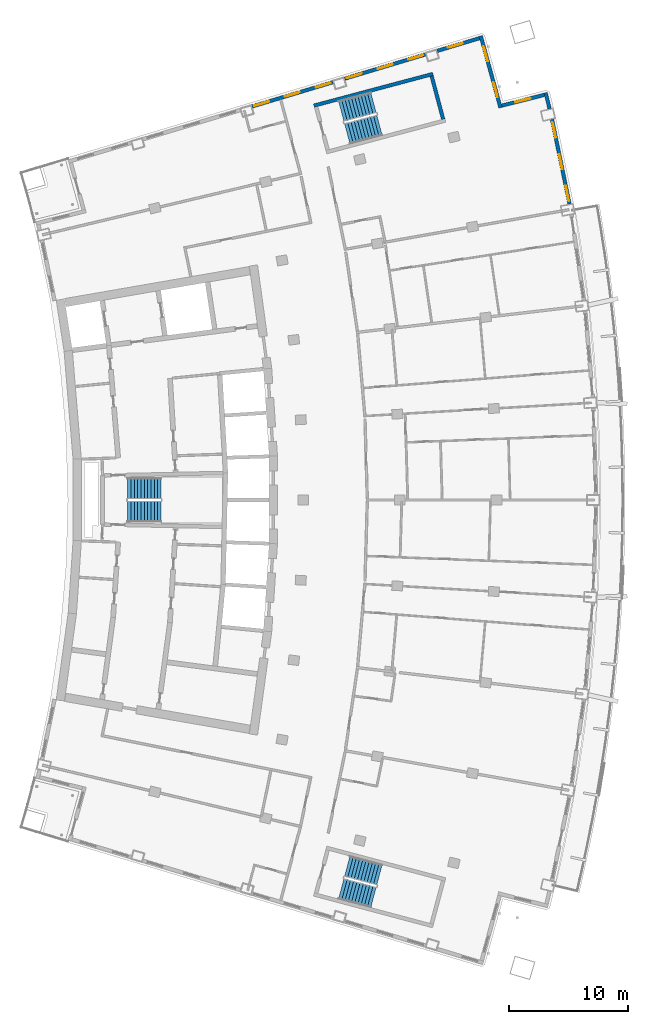
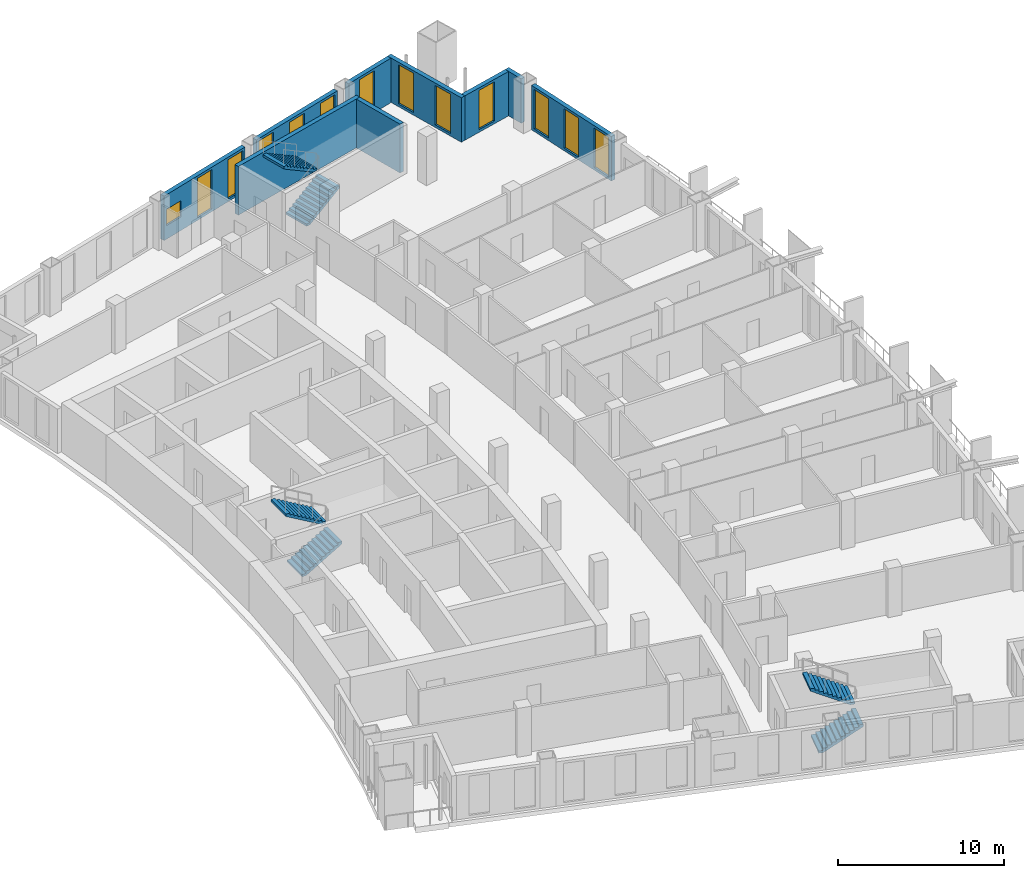
# One storey, part 17 of 20: 13 windows, 9 walls, 6 stair flights, 13 openings, 3 elements without a shape of their own.
"""IFC4 building model written with IfcOpenShell, lengths in metres."""

from ifc_helpers import new_model, si_unit, direction, frame, frame_2d, origin, place, context, subcontext, project, spatial, polyline, rectangle, outline, extrude, material, layer, layer_set, type_object, element, fill, aggregate, save


model = new_model("IFC4")

# Units and contexts
model_context = context("Model", 3, precision=1e-05, world=origin(), true_north=direction((0.0, 1.0)))
body_context = subcontext(model_context, "Body", "Model", "MODEL_VIEW")
ifc_project = project(units=[si_unit("LENGTHUNIT", "METRE"), si_unit("AREAUNIT", "SQUARE_METRE"), si_unit("VOLUMEUNIT", "CUBIC_METRE"), si_unit("PLANEANGLEUNIT", "RADIAN"), si_unit("MASSUNIT", "GRAM", prefix="KILO")], contexts=[model_context])

# Site, building, storey
site_placement = place(None, origin())
site = spatial("IfcSite", under=ifc_project, at=site_placement, CompositionType="ELEMENT")
building_placement = place(site_placement, origin())
building = spatial("IfcBuilding", under=site, at=building_placement, Name="Alderwake Tower", CompositionType="ELEMENT")
storey_placement = place(building_placement, frame((0.0, 0.0, 142.39990234375)))
storey = spatial("IfcBuildingStorey", under=building, at=storey_placement, Name="L34", CompositionType="ELEMENT", Elevation=142.39990234375)

# Walls
ifc_material_1 = material(Name="Concrete C70/85", Category="concrete")
ifc_layer_1 = layer(ifc_material_1, 0.300048828125)
ifc_layer_set_1 = layer_set([ifc_layer_1], Name="Core wall stair enclosure 300 C70-85")
wall_type_1 = type_object("IfcWallType", Name="Core wall stair enclosure 300 C70-85", PredefinedType="SHEAR", material=ifc_layer_set_1)
wall_1_placement = place(storey_placement, frame((36.71142578125, 94.182373046875, 0.0), z_axis=(0.0, 0.0, 1.0), x_axis=(0.966309214305, 0.257383958996, 0.0)))
element("IfcWall", 1, at=wall_1_placement, inside=storey, type_object=wall_type_1, Name="Core wall CW.082", PredefinedType="SHEAR", context=body_context, shape_type="SweptSolid", body=[
    extrude(rectangle(XDim=10.360107421875, YDim=0.300048828125, at=frame_2d((5.18017578125, 0.0))), origin(), (0.0, 0.0, 1.0), 3.60009765625),
])
wall_2_placement = place(storey_placement, frame((47.581298828125, 93.041748046875, 0.0), z_axis=(0.0, 0.0, 1.0), x_axis=(-0.257366821694, 0.966313778796, 0.0)))
element("IfcWall", 2, at=wall_2_placement, inside=storey, type_object=wall_type_1, Name="Core wall CW.081", PredefinedType="SHEAR", context=body_context, shape_type="SweptSolid", body=[
    extrude(rectangle(XDim=3.749755859375, YDim=0.300048828125, at=frame_2d((1.875, 0.0))), origin(), (0.0, 0.0, 1.0), 3.60009765625),
])

# Wall, openings, windows
ifc_material_2 = material(Name="Precast concrete C50/60 spandrel panel", Category="concrete")
ifc_layer_2 = layer(ifc_material_2, 0.300048828125)
ifc_layer_set_2 = layer_set([ifc_layer_2], Name="External wall EW1 Precast concrete C50/60 spandrel")
wall_type_2 = type_object("IfcWallType", Name="External wall EW1 Precast concrete C50/60 spandrel", PredefinedType="SOLIDWALL", material=ifc_layer_set_2)
wall_3_placement = place(storey_placement, frame((58.208984375, 85.916748046875, 0.0), z_axis=(0.0, 0.0, 1.0), x_axis=(-0.202747108549, 0.97923113205, 0.0)))
wall_3 = element("IfcWall", 3, at=wall_3_placement, inside=storey, type_object=wall_type_2, Name="External wall 19", PredefinedType="SOLIDWALL", context=body_context, shape_type="SweptSolid", body=[
    extrude(rectangle(XDim=7.245361328125, YDim=0.300048828125, at=frame_2d((3.62255859375, 0.0))), origin(), (0.0, 0.0, 1.0), 3.280029296875),
])
opening_1_placement = place(wall_3_placement, frame((0.2470703125, 0.0, 0.199951171875)))
opening_1 = element("IfcOpeningElement", 4, at=opening_1_placement, cuts=wall_3, Name="Opening W1", PredefinedType="OPENING", context=body_context, shape_type="SweptSolid", body=[
    extrude(rectangle(XDim=1.300048828125, YDim=2.89990234375, at=frame_2d((0.64990234375, 1.449951171875))), frame((0.0, 0.159912109375, 0.0), z_axis=(0.0, -1.0, 0.0), x_axis=(1.0, 0.0, 0.0)), (0.0, 0.0, 1.0), 0.320068359375),
])
opening_2_placement = place(wall_3_placement, frame((2.97265625, 0.0, 0.199951171875)))
opening_2 = element("IfcOpeningElement", 5, at=opening_2_placement, cuts=wall_3, Name="Opening W1", PredefinedType="OPENING", context=body_context, shape_type="SweptSolid", body=[
    extrude(rectangle(XDim=1.300048828125, YDim=2.89990234375, at=frame_2d((0.64990234375, 1.449951171875))), frame((0.0, 0.159912109375, 0.0), z_axis=(0.0, -1.0, 0.0), x_axis=(1.0, 0.0, 0.0)), (0.0, 0.0, 1.0), 0.320068359375),
])
opening_3_placement = place(wall_3_placement, frame((5.698486328125, 0.0, 0.199951171875)))
opening_3 = element("IfcOpeningElement", 6, at=opening_3_placement, cuts=wall_3, Name="Opening W1", PredefinedType="OPENING", context=body_context, shape_type="SweptSolid", body=[
    extrude(rectangle(XDim=1.300048828125, YDim=2.89990234375, at=frame_2d((0.64990234375, 1.449951171875))), frame((0.0, 0.159912109375, 0.0), z_axis=(0.0, -1.0, 0.0), x_axis=(1.0, 0.0, 0.0)), (0.0, 0.0, 1.0), 0.320068359375),
])
ifc_material_3 = material(Name="Bronze tinted glass in aluminium frame", Category="aluminium")
window_type_1 = type_object("IfcWindowType", Name="Window W1 tall fixed and vent", PartitioningType="DOUBLE_PANEL_VERTICAL", PredefinedType="WINDOW", material=ifc_material_3)
window_1_placement = place(opening_1_placement, origin())
window_1 = element("IfcWindow", 7, at=window_1_placement, inside=storey, type_object=window_type_1, Name="Window W1 tall fixed and vent", OverallHeight=2.89990234375, OverallWidth=1.300048828125, PartitioningType="DOUBLE_PANEL_VERTICAL", PredefinedType="WINDOW", context=body_context, shape_type="SweptSolid", body=[
    extrude(rectangle(XDim=1.300048828125, YDim=2.89990234375, at=frame_2d((0.64990234375, 1.449951171875))), frame((0.0, 0.030029296875, 0.0), z_axis=(0.0, -1.0, 0.0), x_axis=(1.0, 0.0, 0.0)), (0.0, 0.0, 1.0), 0.06005859375),
])
fill(opening_1, window_1)
window_2_placement = place(opening_2_placement, origin())
window_2 = element("IfcWindow", 8, at=window_2_placement, inside=storey, type_object=window_type_1, Name="Window W1 tall fixed and vent", OverallHeight=2.89990234375, OverallWidth=1.300048828125, PartitioningType="DOUBLE_PANEL_VERTICAL", PredefinedType="WINDOW", context=body_context, shape_type="SweptSolid", body=[
    extrude(rectangle(XDim=1.300048828125, YDim=2.89990234375, at=frame_2d((0.64990234375, 1.449951171875))), frame((0.0, 0.030029296875, 0.0), z_axis=(0.0, -1.0, 0.0), x_axis=(1.0, 0.0, 0.0)), (0.0, 0.0, 1.0), 0.06005859375),
])
fill(opening_2, window_2)
window_3_placement = place(opening_3_placement, origin())
window_3 = element("IfcWindow", 9, at=window_3_placement, inside=storey, type_object=window_type_1, Name="Window W1 tall fixed and vent", OverallHeight=2.89990234375, OverallWidth=1.300048828125, PartitioningType="DOUBLE_PANEL_VERTICAL", PredefinedType="WINDOW", context=body_context, shape_type="SweptSolid", body=[
    extrude(rectangle(XDim=1.300048828125, YDim=2.89990234375, at=frame_2d((0.64990234375, 1.449951171875))), frame((0.0, 0.030029296875, 0.0), z_axis=(0.0, -1.0, 0.0), x_axis=(1.0, 0.0, 0.0)), (0.0, 0.0, 1.0), 0.06005859375),
])
fill(opening_3, window_3)

# Wall
wall_4_placement = place(storey_placement, frame((56.535400390625, 93.917724609375, 0.0), z_axis=(0.0, 0.0, 1.0), x_axis=(-0.238283937636, 0.971195533899, 0.0)))
element("IfcWall", 10, at=wall_4_placement, inside=storey, type_object=wall_type_2, Name="External wall 20", PredefinedType="SOLIDWALL", context=body_context, shape_type="SweptSolid", body=[
    extrude(rectangle(XDim=1.392333984375, YDim=0.300048828125, at=frame_2d((0.6962890625, 0.0))), origin(), (0.0, 0.0, 1.0), 3.280029296875),
])

# Wall, opening, window
ifc_material_4 = material(Name="Bronze metal cladding on lightweight framing")
ifc_layer_3 = layer(ifc_material_4, 0.300048828125)
ifc_layer_set_3 = layer_set([ifc_layer_3], Name="External wall EW2 bronze metal cladding")
wall_type_3 = type_object("IfcWallType", Name="External wall EW2 bronze metal cladding", PredefinedType="SOLIDWALL", material=ifc_layer_set_3)
wall_5_placement = place(storey_placement, frame((56.09375, 95.087646484375, 0.0), z_axis=(0.0, 0.0, 1.0), x_axis=(-0.96941119971, -0.245442306614, 0.0)))
wall_5 = element("IfcWall", 11, at=wall_5_placement, inside=storey, type_object=wall_type_3, Name="External wall 21", PredefinedType="SOLIDWALL", context=body_context, shape_type="SweptSolid", body=[
    extrude(rectangle(XDim=3.6943359375, YDim=0.300048828125, at=frame_2d((1.84716796875, 0.0))), origin(), (0.0, 0.0, 1.0), 3.280029296875),
])
opening_4_placement = place(wall_5_placement, frame((1.197021484375, 0.0, 0.199951171875)))
opening_4 = element("IfcOpeningElement", 12, at=opening_4_placement, cuts=wall_5, Name="Opening W1", PredefinedType="OPENING", context=body_context, shape_type="SweptSolid", body=[
    extrude(rectangle(XDim=1.300048828125, YDim=2.89990234375, at=frame_2d((0.64990234375, 1.449951171875))), frame((0.0, 0.159912109375, 0.0), z_axis=(0.0, -1.0, 0.0), x_axis=(1.0, 0.0, 0.0)), (0.0, 0.0, 1.0), 0.320068359375),
])
window_4_placement = place(opening_4_placement, origin())
window_4 = element("IfcWindow", 13, at=window_4_placement, inside=storey, type_object=window_type_1, Name="Window W1 tall fixed and vent", OverallHeight=2.89990234375, OverallWidth=1.300048828125, PartitioningType="DOUBLE_PANEL_VERTICAL", PredefinedType="WINDOW", context=body_context, shape_type="SweptSolid", body=[
    extrude(rectangle(XDim=1.300048828125, YDim=2.89990234375, at=frame_2d((0.64990234375, 1.449951171875))), frame((0.0, 0.030029296875, 0.0), z_axis=(0.0, -1.0, 0.0), x_axis=(1.0, 0.0, 0.0)), (0.0, 0.0, 1.0), 0.06005859375),
])
fill(opening_4, window_4)

# Wall, openings, windows
wall_6_placement = place(storey_placement, frame((52.40673828125, 93.99951171875, 0.0), z_axis=(0.0, 0.0, 1.0), x_axis=(-0.265084072533, 0.964225302764, 0.0)))
wall_6 = element("IfcWall", 14, at=wall_6_placement, inside=storey, type_object=wall_type_3, Name="External wall 22", PredefinedType="SOLIDWALL", context=body_context, shape_type="SweptSolid", body=[
    extrude(rectangle(XDim=6.269287109375, YDim=0.300048828125, at=frame_2d((3.134765625, 0.0))), origin(), (0.0, 0.0, 1.0), 3.280029296875),
])
opening_5_placement = place(wall_6_placement, frame((0.917236328125, 0.0, 0.199951171875)))
opening_5 = element("IfcOpeningElement", 15, at=opening_5_placement, cuts=wall_6, Name="Opening W1", PredefinedType="OPENING", context=body_context, shape_type="SweptSolid", body=[
    extrude(rectangle(XDim=1.300048828125, YDim=2.89990234375, at=frame_2d((0.64990234375, 1.449951171875))), frame((0.0, 0.159912109375, 0.0), z_axis=(0.0, -1.0, 0.0), x_axis=(1.0, 0.0, 0.0)), (0.0, 0.0, 1.0), 0.320068359375),
])
opening_6_placement = place(wall_6_placement, frame((4.052001953125, 0.0, 0.199951171875)))
opening_6 = element("IfcOpeningElement", 16, at=opening_6_placement, cuts=wall_6, Name="Opening W1", PredefinedType="OPENING", context=body_context, shape_type="SweptSolid", body=[
    extrude(rectangle(XDim=1.300048828125, YDim=2.89990234375, at=frame_2d((0.64990234375, 1.449951171875))), frame((0.0, 0.159912109375, 0.0), z_axis=(0.0, -1.0, 0.0), x_axis=(1.0, 0.0, 0.0)), (0.0, 0.0, 1.0), 0.320068359375),
])
window_5_placement = place(opening_5_placement, origin())
window_5 = element("IfcWindow", 17, at=window_5_placement, inside=storey, type_object=window_type_1, Name="Window W1 tall fixed and vent", OverallHeight=2.89990234375, OverallWidth=1.300048828125, PartitioningType="DOUBLE_PANEL_VERTICAL", PredefinedType="WINDOW", context=body_context, shape_type="SweptSolid", body=[
    extrude(rectangle(XDim=1.300048828125, YDim=2.89990234375, at=frame_2d((0.64990234375, 1.449951171875))), frame((0.0, 0.030029296875, 0.0), z_axis=(0.0, -1.0, 0.0), x_axis=(1.0, 0.0, 0.0)), (0.0, 0.0, 1.0), 0.06005859375),
])
fill(opening_5, window_5)
window_6_placement = place(opening_6_placement, origin())
window_6 = element("IfcWindow", 18, at=window_6_placement, inside=storey, type_object=window_type_1, Name="Window W1 tall fixed and vent", OverallHeight=2.89990234375, OverallWidth=1.300048828125, PartitioningType="DOUBLE_PANEL_VERTICAL", PredefinedType="WINDOW", context=body_context, shape_type="SweptSolid", body=[
    extrude(rectangle(XDim=1.300048828125, YDim=2.89990234375, at=frame_2d((0.64990234375, 1.449951171875))), frame((0.0, 0.030029296875, 0.0), z_axis=(0.0, -1.0, 0.0), x_axis=(1.0, 0.0, 0.0)), (0.0, 0.0, 1.0), 0.06005859375),
])
fill(opening_6, window_6)

# Wall, opening, window
wall_7_placement = place(storey_placement, frame((50.640869140625, 99.856689453125, 0.0), z_axis=(0.0, 0.0, 1.0), x_axis=(-0.957777625264, -0.287510035552, 0.0)))
wall_7 = element("IfcWall", 19, at=wall_7_placement, inside=storey, type_object=wall_type_3, Name="External wall 23", PredefinedType="SOLIDWALL", context=body_context, shape_type="SweptSolid", body=[
    extrude(rectangle(XDim=3.7294921875, YDim=0.300048828125, at=frame_2d((1.86474609375, 0.0))), origin(), (0.0, 0.0, 1.0), 3.280029296875),
])
opening_7_placement = place(wall_7_placement, frame((1.465576171875, 0.0, 0.199951171875)))
opening_7 = element("IfcOpeningElement", 20, at=opening_7_placement, cuts=wall_7, Name="Opening W1", PredefinedType="OPENING", context=body_context, shape_type="SweptSolid", body=[
    extrude(rectangle(XDim=1.300048828125, YDim=2.89990234375, at=frame_2d((0.64990234375, 1.449951171875))), frame((0.0, 0.159912109375, 0.0), z_axis=(0.0, -1.0, 0.0), x_axis=(1.0, 0.0, 0.0)), (0.0, 0.0, 1.0), 0.320068359375),
])
window_7_placement = place(opening_7_placement, origin())
window_7 = element("IfcWindow", 21, at=window_7_placement, inside=storey, type_object=window_type_1, Name="Window W1 tall fixed and vent", OverallHeight=2.89990234375, OverallWidth=1.300048828125, PartitioningType="DOUBLE_PANEL_VERTICAL", PredefinedType="WINDOW", context=body_context, shape_type="SweptSolid", body=[
    extrude(rectangle(XDim=1.300048828125, YDim=2.89990234375, at=frame_2d((0.64990234375, 1.449951171875))), frame((0.0, 0.030029296875, 0.0), z_axis=(0.0, -1.0, 0.0), x_axis=(1.0, 0.0, 0.0)), (0.0, 0.0, 1.0), 0.06005859375),
])
fill(opening_7, window_7)

# Wall, openings, windows
wall_8_placement = place(storey_placement, frame((46.107666015625, 98.495849609375, 0.0), z_axis=(0.0, 0.0, 1.0), x_axis=(-0.957760288356, -0.287567783397, 0.0)))
wall_8 = element("IfcWall", 22, at=wall_8_placement, inside=storey, type_object=wall_type_3, Name="External wall 24", PredefinedType="SOLIDWALL", context=body_context, shape_type="SweptSolid", body=[
    extrude(rectangle(XDim=7.1298828125, YDim=0.300048828125, at=frame_2d((3.56494140625, 0.0))), origin(), (0.0, 0.0, 1.0), 3.280029296875),
])
opening_8_placement = place(wall_8_placement, frame((0.203857421875, 0.0, 0.199951171875)))
opening_8 = element("IfcOpeningElement", 23, at=opening_8_placement, cuts=wall_8, Name="Opening W1", PredefinedType="OPENING", context=body_context, shape_type="SweptSolid", body=[
    extrude(rectangle(XDim=1.300048828125, YDim=2.89990234375, at=frame_2d((0.64990234375, 1.449951171875))), frame((0.0, 0.159912109375, 0.0), z_axis=(0.0, -1.0, 0.0), x_axis=(1.0, 0.0, 0.0)), (0.0, 0.0, 1.0), 0.320068359375),
])
opening_9_placement = place(wall_8_placement, frame((2.914794921875, 0.0, 0.199951171875)))
opening_9 = element("IfcOpeningElement", 24, at=opening_9_placement, cuts=wall_8, Name="Opening W1", PredefinedType="OPENING", context=body_context, shape_type="SweptSolid", body=[
    extrude(rectangle(XDim=1.300048828125, YDim=2.89990234375, at=frame_2d((0.64990234375, 1.449951171875))), frame((0.0, 0.159912109375, 0.0), z_axis=(0.0, -1.0, 0.0), x_axis=(1.0, 0.0, 0.0)), (0.0, 0.0, 1.0), 0.320068359375),
])
opening_10_placement = place(wall_8_placement, frame((5.626220703125, 0.0, 0.199951171875)))
opening_10 = element("IfcOpeningElement", 25, at=opening_10_placement, cuts=wall_8, Name="Opening W1", PredefinedType="OPENING", context=body_context, shape_type="SweptSolid", body=[
    extrude(rectangle(XDim=1.300048828125, YDim=2.89990234375, at=frame_2d((0.64990234375, 1.449951171875))), frame((0.0, 0.159912109375, 0.0), z_axis=(0.0, -1.0, 0.0), x_axis=(1.0, 0.0, 0.0)), (0.0, 0.0, 1.0), 0.320068359375),
])
window_8_placement = place(opening_8_placement, origin())
window_8 = element("IfcWindow", 26, at=window_8_placement, inside=storey, type_object=window_type_1, Name="Window W1 tall fixed and vent", OverallHeight=2.89990234375, OverallWidth=1.300048828125, PartitioningType="DOUBLE_PANEL_VERTICAL", PredefinedType="WINDOW", context=body_context, shape_type="SweptSolid", body=[
    extrude(rectangle(XDim=1.300048828125, YDim=2.89990234375, at=frame_2d((0.64990234375, 1.449951171875))), frame((0.0, 0.030029296875, 0.0), z_axis=(0.0, -1.0, 0.0), x_axis=(1.0, 0.0, 0.0)), (0.0, 0.0, 1.0), 0.06005859375),
])
fill(opening_8, window_8)
window_9_placement = place(opening_9_placement, origin())
window_9 = element("IfcWindow", 27, at=window_9_placement, inside=storey, type_object=window_type_1, Name="Window W1 tall fixed and vent", OverallHeight=2.89990234375, OverallWidth=1.300048828125, PartitioningType="DOUBLE_PANEL_VERTICAL", PredefinedType="WINDOW", context=body_context, shape_type="SweptSolid", body=[
    extrude(rectangle(XDim=1.300048828125, YDim=2.89990234375, at=frame_2d((0.64990234375, 1.449951171875))), frame((0.0, 0.030029296875, 0.0), z_axis=(0.0, -1.0, 0.0), x_axis=(1.0, 0.0, 0.0)), (0.0, 0.0, 1.0), 0.06005859375),
])
fill(opening_9, window_9)
window_10_placement = place(opening_10_placement, origin())
window_10 = element("IfcWindow", 28, at=window_10_placement, inside=storey, type_object=window_type_1, Name="Window W1 tall fixed and vent", OverallHeight=2.89990234375, OverallWidth=1.300048828125, PartitioningType="DOUBLE_PANEL_VERTICAL", PredefinedType="WINDOW", context=body_context, shape_type="SweptSolid", body=[
    extrude(rectangle(XDim=1.300048828125, YDim=2.89990234375, at=frame_2d((0.64990234375, 1.449951171875))), frame((0.0, 0.030029296875, 0.0), z_axis=(0.0, -1.0, 0.0), x_axis=(1.0, 0.0, 0.0)), (0.0, 0.0, 1.0), 0.06005859375),
])
fill(opening_10, window_10)

wall_9_placement = place(storey_placement, frame((38.317626953125, 96.156982421875, 0.0), z_axis=(0.0, 0.0, 1.0), x_axis=(-0.957766887781, -0.287545802735, 0.0)))
wall_9 = element("IfcWall", 29, at=wall_9_placement, inside=storey, type_object=wall_type_3, Name="External wall 25", PredefinedType="SOLIDWALL", context=body_context, shape_type="SweptSolid", body=[
    extrude(rectangle(XDim=7.12939453125, YDim=0.300048828125, at=frame_2d((3.564697265625, 0.0))), origin(), (0.0, 0.0, 1.0), 3.280029296875),
])
opening_11_placement = place(wall_9_placement, frame((0.20361328125, 0.0, 0.199951171875)))
opening_11 = element("IfcOpeningElement", 30, at=opening_11_placement, cuts=wall_9, Name="Opening W1", PredefinedType="OPENING", context=body_context, shape_type="SweptSolid", body=[
    extrude(rectangle(XDim=1.300048828125, YDim=2.89990234375, at=frame_2d((0.64990234375, 1.449951171875))), frame((0.0, 0.159912109375, 0.0), z_axis=(0.0, -1.0, 0.0), x_axis=(1.0, 0.0, 0.0)), (0.0, 0.0, 1.0), 0.320068359375),
])
opening_12_placement = place(wall_9_placement, frame((2.914794921875, 0.0, 0.199951171875)))
opening_12 = element("IfcOpeningElement", 31, at=opening_12_placement, cuts=wall_9, Name="Opening W1", PredefinedType="OPENING", context=body_context, shape_type="SweptSolid", body=[
    extrude(rectangle(XDim=1.300048828125, YDim=2.89990234375, at=frame_2d((0.64990234375, 1.449951171875))), frame((0.0, 0.159912109375, 0.0), z_axis=(0.0, -1.0, 0.0), x_axis=(1.0, 0.0, 0.0)), (0.0, 0.0, 1.0), 0.320068359375),
])
opening_13_placement = place(wall_9_placement, frame((5.6259765625, 0.0, 1.0)))
opening_13 = element("IfcOpeningElement", 32, at=opening_13_placement, cuts=wall_9, Name="Opening W2", PredefinedType="OPENING", context=body_context, shape_type="SweptSolid", body=[
    extrude(rectangle(XDim=1.300048828125, YDim=1.199951171875, at=frame_2d((0.64990234375, 0.60009765625))), frame((0.0, 0.159912109375, 0.0), z_axis=(0.0, -1.0, 0.0), x_axis=(1.0, 0.0, 0.0)), (0.0, 0.0, 1.0), 0.320068359375),
])
window_11_placement = place(opening_11_placement, origin())
window_11 = element("IfcWindow", 33, at=window_11_placement, inside=storey, type_object=window_type_1, Name="Window W1 tall fixed and vent", OverallHeight=2.89990234375, OverallWidth=1.300048828125, PartitioningType="DOUBLE_PANEL_VERTICAL", PredefinedType="WINDOW", context=body_context, shape_type="SweptSolid", body=[
    extrude(rectangle(XDim=1.300048828125, YDim=2.89990234375, at=frame_2d((0.64990234375, 1.449951171875))), frame((0.0, 0.030029296875, 0.0), z_axis=(0.0, -1.0, 0.0), x_axis=(1.0, 0.0, 0.0)), (0.0, 0.0, 1.0), 0.06005859375),
])
fill(opening_11, window_11)
window_12_placement = place(opening_12_placement, origin())
window_12 = element("IfcWindow", 34, at=window_12_placement, inside=storey, type_object=window_type_1, Name="Window W1 tall fixed and vent", OverallHeight=2.89990234375, OverallWidth=1.300048828125, PartitioningType="DOUBLE_PANEL_VERTICAL", PredefinedType="WINDOW", context=body_context, shape_type="SweptSolid", body=[
    extrude(rectangle(XDim=1.300048828125, YDim=2.89990234375, at=frame_2d((0.64990234375, 1.449951171875))), frame((0.0, 0.030029296875, 0.0), z_axis=(0.0, -1.0, 0.0), x_axis=(1.0, 0.0, 0.0)), (0.0, 0.0, 1.0), 0.06005859375),
])
fill(opening_12, window_12)
ifc_material_5 = material(Name="Bronze tinted glass in aluminium frame", Category="aluminium")
window_type_2 = type_object("IfcWindowType", Name="Window W2 kitchen and bath", PartitioningType="SINGLE_PANEL", PredefinedType="WINDOW", material=ifc_material_5)
window_13_placement = place(opening_13_placement, origin())
window_13 = element("IfcWindow", 35, at=window_13_placement, inside=storey, type_object=window_type_2, Name="Window W2 kitchen and bath", OverallHeight=1.199951171875, OverallWidth=1.300048828125, PartitioningType="SINGLE_PANEL", PredefinedType="WINDOW", context=body_context, shape_type="SweptSolid", body=[
    extrude(rectangle(XDim=1.300048828125, YDim=1.199951171875, at=frame_2d((0.64990234375, 0.60009765625))), frame((0.0, 0.030029296875, 0.0), z_axis=(0.0, -1.0, 0.0), x_axis=(1.0, 0.0, 0.0)), (0.0, 0.0, 1.0), 0.06005859375),
])
fill(opening_13, window_13)

# Stair, stair flights
ifc_material_6 = material(Name="Concrete C40/50", Category="concrete")
stair_type = type_object("IfcStairType", Name="Core exit stair", PredefinedType="HALF_TURN_STAIR", material=ifc_material_6)
stair_1_placement = place(storey_placement, origin())
stair_1 = element("IfcStair", 36, at=stair_1_placement, inside=storey, type_object=stair_type, Name="L34 Exit Stair B", PredefinedType="HALF_TURN_STAIR")
ifc_material_7 = material(Name="Concrete C40/50", Category="concrete")
ifc_layer_4 = layer(ifc_material_7, 0.14990234375)
ifc_layer_set_4 = layer_set([ifc_layer_4], Name="Core stair flight")
stair_flight_type = type_object("IfcStairFlightType", Name="Core stair flight", PredefinedType="STRAIGHT", material=ifc_layer_set_4)
stair_flight_1_placement = place(storey_placement, frame((21.0400390625, 60.02490234375, 0.0), z_axis=(0.0, 0.0, 1.0), x_axis=(1.0, 0.0, 0.0)))
stair_flight_1 = element("IfcStairFlight", 37, at=stair_flight_1_placement, type_object=stair_flight_type, Name="ST-B flight 1", NumberOfRisers=11, NumberOfTreads=10, PredefinedType="STRAIGHT", RiserHeight=0.163636364, TreadLength=0.28, context=body_context, shape_type="SweptSolid", body=[
    extrude(outline(polyline([(0.0, 0.0), (0.0, 0.16357421875), (0.280029296875, 0.16357421875), (0.280029296875, 0.327392578125), (0.56005859375, 0.327392578125), (0.56005859375, 0.490966796875), (0.840087890625, 0.490966796875), (0.840087890625, 0.654541015625), (1.1201171875, 0.654541015625), (1.1201171875, 0.818115234375), (1.39990234375, 0.818115234375), (1.39990234375, 0.98193359375), (1.679931640625, 0.98193359375), (1.679931640625, 1.1455078125), (1.9599609375, 1.1455078125), (1.9599609375, 1.30908203125), (2.239990234375, 1.30908203125), (2.239990234375, 1.47265625), (2.52001953125, 1.47265625), (2.52001953125, 1.636474609375), (2.800048828125, 1.636474609375), (2.800048828125, 1.800048828125), (2.800048828125, 1.462646484375), (0.297119140625, 0.0), (0.0, 0.0)])), frame((0.0, 0.89990234375, 0.0), z_axis=(0.0, -1.0, 0.0), x_axis=(1.0, 0.0, 0.0)), (0.0, 0.0, 1.0), 1.800048828125),
])
stair_flight_2_placement = place(storey_placement, frame((23.840087890625, 61.97509765625, 1.800048828125), z_axis=(0.0, 0.0, 1.0), x_axis=(-1.0, 0.0, 0.0)))
stair_flight_2 = element("IfcStairFlight", 38, at=stair_flight_2_placement, type_object=stair_flight_type, Name="ST-B flight 2", NumberOfRisers=11, NumberOfTreads=10, PredefinedType="STRAIGHT", RiserHeight=0.163636364, TreadLength=0.28, context=body_context, shape_type="SweptSolid", body=[
    extrude(outline(polyline([(0.0, 0.0), (0.0, 0.16357421875), (0.280029296875, 0.16357421875), (0.280029296875, 0.327392578125), (0.56005859375, 0.327392578125), (0.56005859375, 0.490966796875), (0.840087890625, 0.490966796875), (0.840087890625, 0.654541015625), (1.1201171875, 0.654541015625), (1.1201171875, 0.818115234375), (1.39990234375, 0.818115234375), (1.39990234375, 0.98193359375), (1.679931640625, 0.98193359375), (1.679931640625, 1.1455078125), (1.9599609375, 1.1455078125), (1.9599609375, 1.30908203125), (2.239990234375, 1.30908203125), (2.239990234375, 1.47265625), (2.52001953125, 1.47265625), (2.52001953125, 1.636474609375), (2.800048828125, 1.636474609375), (2.800048828125, 1.800048828125), (2.800048828125, 1.462646484375), (0.297119140625, 0.0), (0.0, 0.0)])), frame((0.0, 0.89990234375, 0.0), z_axis=(0.0, -1.0, 0.0), x_axis=(1.0, 0.0, 0.0)), (0.0, 0.0, 1.0), 1.800048828125),
])
aggregate(stair_1, [stair_flight_1, stair_flight_2])

stair_2_placement = place(storey_placement, origin())
stair_2 = element("IfcStair", 39, at=stair_2_placement, inside=storey, type_object=stair_type, Name="L34 Exit Stair A", PredefinedType="HALF_TURN_STAIR")
stair_flight_3_placement = place(storey_placement, frame((39.512939453125, 91.823974609375, 0.0), z_axis=(0.0, 0.0, 1.0), x_axis=(0.966309627437, 0.257382407951, 0.0)))
stair_flight_3 = element("IfcStairFlight", 40, at=stair_flight_3_placement, type_object=stair_flight_type, Name="ST-A flight 1", NumberOfRisers=11, NumberOfTreads=10, PredefinedType="STRAIGHT", RiserHeight=0.163636364, TreadLength=0.28, context=body_context, shape_type="SweptSolid", body=[
    extrude(outline(polyline([(0.0, 0.0), (0.0, 0.16357421875), (0.280029296875, 0.16357421875), (0.280029296875, 0.327392578125), (0.56005859375, 0.327392578125), (0.56005859375, 0.490966796875), (0.840087890625, 0.490966796875), (0.840087890625, 0.654541015625), (1.1201171875, 0.654541015625), (1.1201171875, 0.818115234375), (1.39990234375, 0.818115234375), (1.39990234375, 0.98193359375), (1.679931640625, 0.98193359375), (1.679931640625, 1.1455078125), (1.9599609375, 1.1455078125), (1.9599609375, 1.30908203125), (2.239990234375, 1.30908203125), (2.239990234375, 1.47265625), (2.52001953125, 1.47265625), (2.52001953125, 1.636474609375), (2.800048828125, 1.636474609375), (2.800048828125, 1.800048828125), (2.800048828125, 1.462646484375), (0.297119140625, 0.0), (0.0, 0.0)])), frame((0.0, 0.89990234375, 0.0), z_axis=(0.0, -1.0, 0.0), x_axis=(1.0, 0.0, 0.0)), (0.0, 0.0, 1.0), 1.800048828125),
])
stair_flight_4_placement = place(storey_placement, frame((41.716796875, 94.428955078125, 1.800048828125), z_axis=(0.0, 0.0, 1.0), x_axis=(-0.966309627437, -0.257382407951, 0.0)))
stair_flight_4 = element("IfcStairFlight", 41, at=stair_flight_4_placement, type_object=stair_flight_type, Name="ST-A flight 2", NumberOfRisers=11, NumberOfTreads=10, PredefinedType="STRAIGHT", RiserHeight=0.163636364, TreadLength=0.28, context=body_context, shape_type="SweptSolid", body=[
    extrude(outline(polyline([(0.0, 0.0), (0.0, 0.16357421875), (0.280029296875, 0.16357421875), (0.280029296875, 0.327392578125), (0.56005859375, 0.327392578125), (0.56005859375, 0.490966796875), (0.840087890625, 0.490966796875), (0.840087890625, 0.654541015625), (1.1201171875, 0.654541015625), (1.1201171875, 0.818115234375), (1.39990234375, 0.818115234375), (1.39990234375, 0.98193359375), (1.679931640625, 0.98193359375), (1.679931640625, 1.1455078125), (1.9599609375, 1.1455078125), (1.9599609375, 1.30908203125), (2.239990234375, 1.30908203125), (2.239990234375, 1.47265625), (2.52001953125, 1.47265625), (2.52001953125, 1.636474609375), (2.800048828125, 1.636474609375), (2.800048828125, 1.800048828125), (2.800048828125, 1.462646484375), (0.297119140625, 0.0), (0.0, 0.0)])), frame((0.0, 0.89990234375, 0.0), z_axis=(0.0, -1.0, 0.0), x_axis=(1.0, 0.0, 0.0)), (0.0, 0.0, 1.0), 1.800048828125),
])
aggregate(stair_2, [stair_flight_3, stair_flight_4])

stair_3_placement = place(storey_placement, origin())
stair_3 = element("IfcStair", 42, at=stair_3_placement, inside=storey, type_object=stair_type, Name="L34 Exit Stair C", PredefinedType="HALF_TURN_STAIR")
stair_flight_5_placement = place(storey_placement, frame((39.010986328125, 28.291748046875, 0.0), z_axis=(0.0, 0.0, 1.0), x_axis=(0.966309627437, -0.257382407951, 0.0)))
stair_flight_5 = element("IfcStairFlight", 43, at=stair_flight_5_placement, type_object=stair_flight_type, Name="ST-C flight 1", NumberOfRisers=11, NumberOfTreads=10, PredefinedType="STRAIGHT", RiserHeight=0.163636364, TreadLength=0.28, context=body_context, shape_type="SweptSolid", body=[
    extrude(outline(polyline([(0.0, 0.0), (0.0, 0.16357421875), (0.280029296875, 0.16357421875), (0.280029296875, 0.327392578125), (0.56005859375, 0.327392578125), (0.56005859375, 0.490966796875), (0.840087890625, 0.490966796875), (0.840087890625, 0.654541015625), (1.1201171875, 0.654541015625), (1.1201171875, 0.818115234375), (1.39990234375, 0.818115234375), (1.39990234375, 0.98193359375), (1.679931640625, 0.98193359375), (1.679931640625, 1.1455078125), (1.9599609375, 1.1455078125), (1.9599609375, 1.30908203125), (2.239990234375, 1.30908203125), (2.239990234375, 1.47265625), (2.52001953125, 1.47265625), (2.52001953125, 1.636474609375), (2.800048828125, 1.636474609375), (2.800048828125, 1.800048828125), (2.800048828125, 1.462646484375), (0.297119140625, 0.0), (0.0, 0.0)])), frame((0.0, 0.89990234375, 0.0), z_axis=(0.0, -1.0, 0.0), x_axis=(1.0, 0.0, 0.0)), (0.0, 0.0, 1.0), 1.800048828125),
])
stair_flight_6_placement = place(storey_placement, frame((42.218505859375, 29.455322265625, 1.800048828125), z_axis=(0.0, 0.0, 1.0), x_axis=(-0.966309627437, 0.257382407951, 0.0)))
stair_flight_6 = element("IfcStairFlight", 44, at=stair_flight_6_placement, type_object=stair_flight_type, Name="ST-C flight 2", NumberOfRisers=11, NumberOfTreads=10, PredefinedType="STRAIGHT", RiserHeight=0.163636364, TreadLength=0.28, context=body_context, shape_type="SweptSolid", body=[
    extrude(outline(polyline([(0.0, 0.0), (0.0, 0.16357421875), (0.280029296875, 0.16357421875), (0.280029296875, 0.327392578125), (0.56005859375, 0.327392578125), (0.56005859375, 0.490966796875), (0.840087890625, 0.490966796875), (0.840087890625, 0.654541015625), (1.1201171875, 0.654541015625), (1.1201171875, 0.818115234375), (1.39990234375, 0.818115234375), (1.39990234375, 0.98193359375), (1.679931640625, 0.98193359375), (1.679931640625, 1.1455078125), (1.9599609375, 1.1455078125), (1.9599609375, 1.30908203125), (2.239990234375, 1.30908203125), (2.239990234375, 1.47265625), (2.52001953125, 1.47265625), (2.52001953125, 1.636474609375), (2.800048828125, 1.636474609375), (2.800048828125, 1.800048828125), (2.800048828125, 1.462646484375), (0.297119140625, 0.0), (0.0, 0.0)])), frame((0.0, 0.89990234375, 0.0), z_axis=(0.0, -1.0, 0.0), x_axis=(1.0, 0.0, 0.0)), (0.0, 0.0, 1.0), 1.800048828125),
])
aggregate(stair_3, [stair_flight_5, stair_flight_6])

save(model, "model.ifc")
